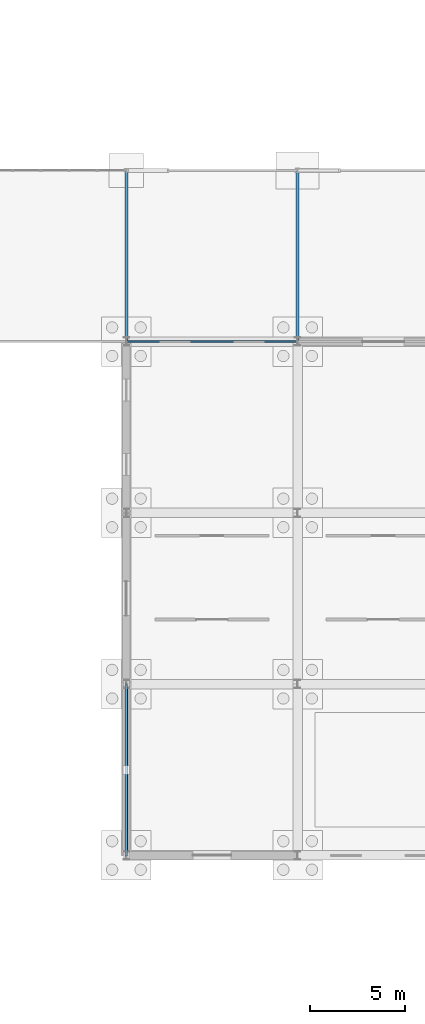
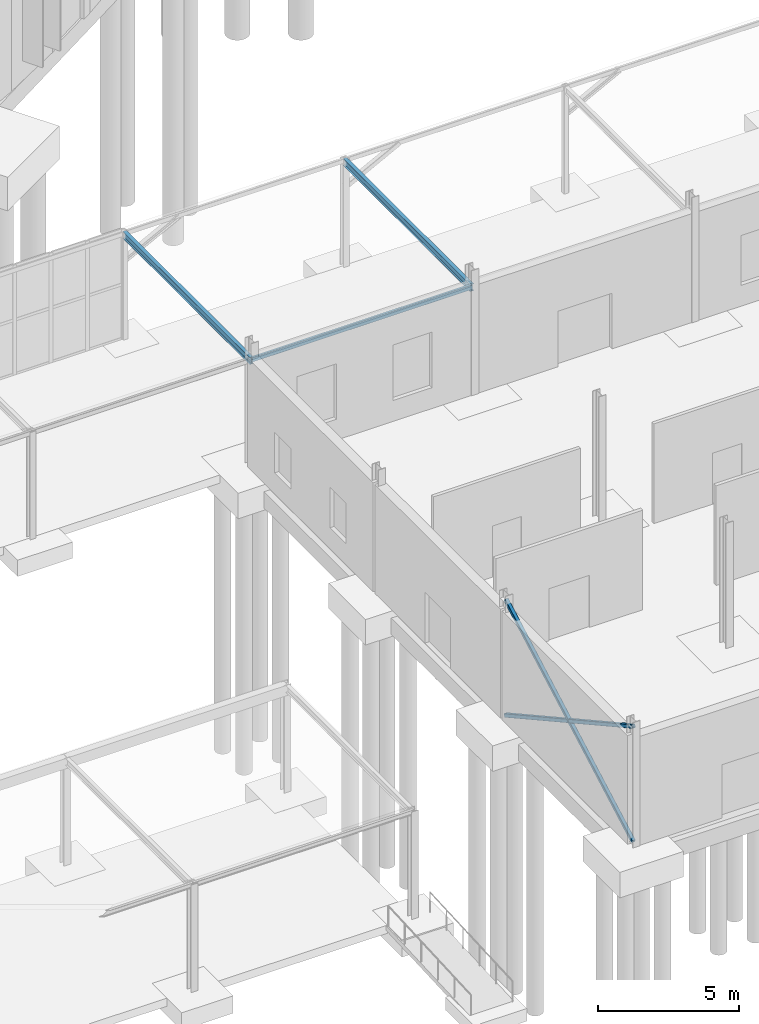
# One storey, part 63 of 118: 3 beams, 3 members.
"""IFC4 building model written with IfcOpenShell, lengths in metres."""

from ifc_helpers import new_model, si_unit, direction, frame, origin, origin_2d, place, context, subcontext, project, spatial, hollow_rectangle, i_section, extrude, material, material_profile, profile_set, type_object, element, save


model = new_model("IFC4")

# Units and contexts
model_context = context("Model", 3, precision=1e-05, world=origin(), true_north=direction((0.0, 1.0)))
body_context = subcontext(model_context, "Body", "Model", "MODEL_VIEW")
ifc_project = project(units=[si_unit("LENGTHUNIT", "METRE"), si_unit("AREAUNIT", "SQUARE_METRE"), si_unit("VOLUMEUNIT", "CUBIC_METRE"), si_unit("PLANEANGLEUNIT", "RADIAN"), si_unit("MASSUNIT", "GRAM", prefix="KILO")], contexts=[model_context])

# Site, building, storey
site_placement = place(None, origin())
site = spatial("IfcSite", under=ifc_project, at=site_placement, CompositionType="ELEMENT")
building_placement = place(site_placement, origin())
building = spatial("IfcBuilding", under=site, at=building_placement, Name="Kildeholm Park Wholesale Market", CompositionType="ELEMENT")
storey_placement = place(building_placement, origin())
storey = spatial("IfcBuildingStorey", under=building, at=storey_placement, Name="L00", CompositionType="ELEMENT", Elevation=0.0)

# Beams
ifc_material = material(Name="Steel S355", Category="steel")
ifc_material_profile_1 = material_profile(ifc_material, i_section(OverallWidth=0.14990234375, OverallDepth=0.300048828125, WebThickness=0.007080078125, FlangeThickness=0.0107421875, FilletRadius=0.014892578125, at=origin_2d()), Name="IPE 300")
ifc_profile_set_1 = profile_set([ifc_material_profile_1], Name="Steel S355")
beam_type_1 = type_object("IfcBeamType", Name="Beam B-C01 IPE 300", PredefinedType="BEAM", material=ifc_profile_set_1)
for number, where, z_axis, x_axis, name in (
    (1, (126.0, 27.0, 4.486083984375), (0.0, 1.0, 0.0), (-1.0, 0.0, 0.0), "Beam BM-V6-TR-126 BM-1815"),
    (2, (135.0, 27.0, 4.486083984375), (0.0, 1.0, 0.0), (-1.0, 0.0, 0.0), "Beam BM-V6-TR-135 BM-1818"),
):
    element("IfcBeam", number, at=place(storey_placement, frame(where, z_axis=z_axis, x_axis=x_axis)), inside=storey, type_object=beam_type_1, Name=name, PredefinedType="BEAM", context=body_context, shape_type="SweptSolid", body=[
        extrude(i_section(OverallWidth=0.14990234375, OverallDepth=0.300048828125, WebThickness=0.007080078125, FlangeThickness=0.0107421875, FilletRadius=0.014892578125, at=origin_2d()), origin(), (0.0, 0.0, 1.0), 9.0),
    ])
ifc_material_profile_2 = material_profile(ifc_material, hollow_rectangle(XDim=0.10009765625, YDim=0.199951171875, WallThickness=0.008056640625, InnerFilletRadius=0.008056640625, OuterFilletRadius=0.01611328125, at=origin_2d()), Name="RHS 200x100x8")
ifc_profile_set_2 = profile_set([ifc_material_profile_2], Name="Steel S355")
beam_type_2 = type_object("IfcBeamType", Name="Beam LN-01 RHS 200x100x8", PredefinedType="LINTEL", material=ifc_profile_set_2)
beam_placement = place(storey_placement, frame((126.0, 27.0, 4.5400390625), z_axis=(1.0, 0.0, 0.0), x_axis=(0.0, 1.0, 0.0)))
element("IfcBeam", 3, at=beam_placement, inside=storey, type_object=beam_type_2, Name="Beam BM-V6-S-126 BM-1816", PredefinedType="LINTEL", context=body_context, shape_type="SweptSolid", body=[
    extrude(hollow_rectangle(XDim=0.10009765625, YDim=0.199951171875, WallThickness=0.008056640625, InnerFilletRadius=0.008056640625, OuterFilletRadius=0.01611328125, at=origin_2d()), origin(), (0.0, 0.0, 1.0), 9.0),
])

# Members
ifc_material_profile_3 = material_profile(ifc_material, hollow_rectangle(XDim=0.14990234375, YDim=0.14990234375, WallThickness=0.010009765625, InnerFilletRadius=0.010009765625, OuterFilletRadius=0.02001953125, at=origin_2d()), Name="SHS 150x150x10")
ifc_profile_set_3 = profile_set([ifc_material_profile_3], Name="Steel S355")
member_type = type_object("IfcMemberType", Name="Member TB-03 SHS 150x150x10", PredefinedType="BRACE", material=ifc_profile_set_3)
member_placement = place(storey_placement, frame((126.0, 0.0, 0.10009765625), z_axis=(0.0, 0.874982272, 0.48415495834), x_axis=(-1.0, 0.0, 0.0)))
element("IfcMember", 4, at=member_placement, inside=storey, type_object=member_type, Name="Member BR-V5E-L00-1 MEM-0366", PredefinedType="BRACE", context=body_context, shape_type="SweptSolid", body=[
    extrude(hollow_rectangle(XDim=0.14990234375, YDim=0.14990234375, WallThickness=0.010009765625, InnerFilletRadius=0.010009765625, OuterFilletRadius=0.02001953125, at=origin_2d()), origin(), (0.0, 0.0, 1.0), 10.285888671875),
])
for number, where, z_axis, x_axis, name in (
    (5, (126.0, 9.0, 0.10009765625), (0.0, -0.874999978051, 0.484122957947), (1.0, 0.0, 0.0), "Member BR-V5E-L00-2A MEM-0367"),
    (6, (126.0, 4.465087890625, 2.609375), (0.0, -0.874979711111, 0.484159586442), (1.0, 0.0, 0.0), "Member BR-V5E-L00-2B MEM-0368"),
):
    element("IfcMember", number, at=place(storey_placement, frame(where, z_axis=z_axis, x_axis=x_axis)), inside=storey, type_object=member_type, Name=name, PredefinedType="BRACE", context=body_context, shape_type="SweptSolid", body=[
        extrude(hollow_rectangle(XDim=0.14990234375, YDim=0.14990234375, WallThickness=0.010009765625, InnerFilletRadius=0.010009765625, OuterFilletRadius=0.02001953125, at=origin_2d()), origin(), (0.0, 0.0, 1.0), 5.10302734375),
    ])

save(model, "model.ifc")
